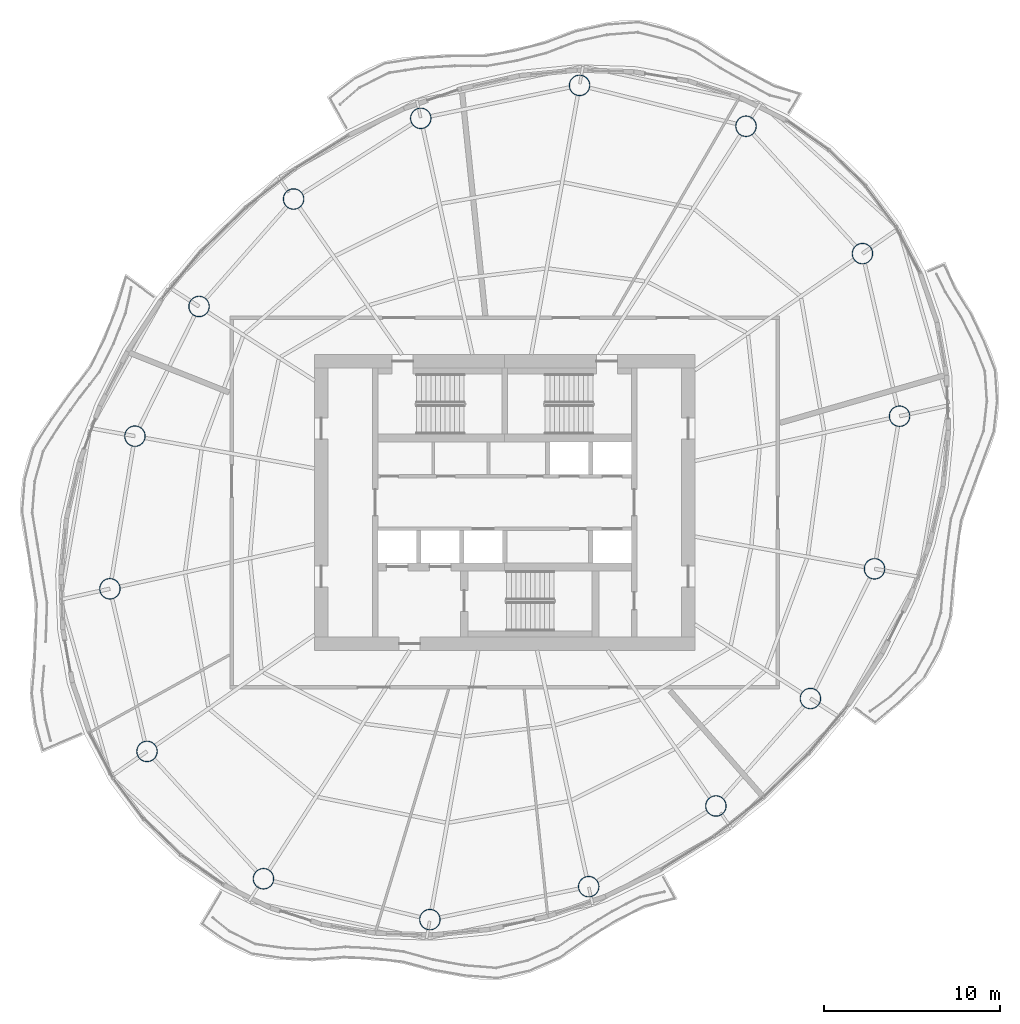
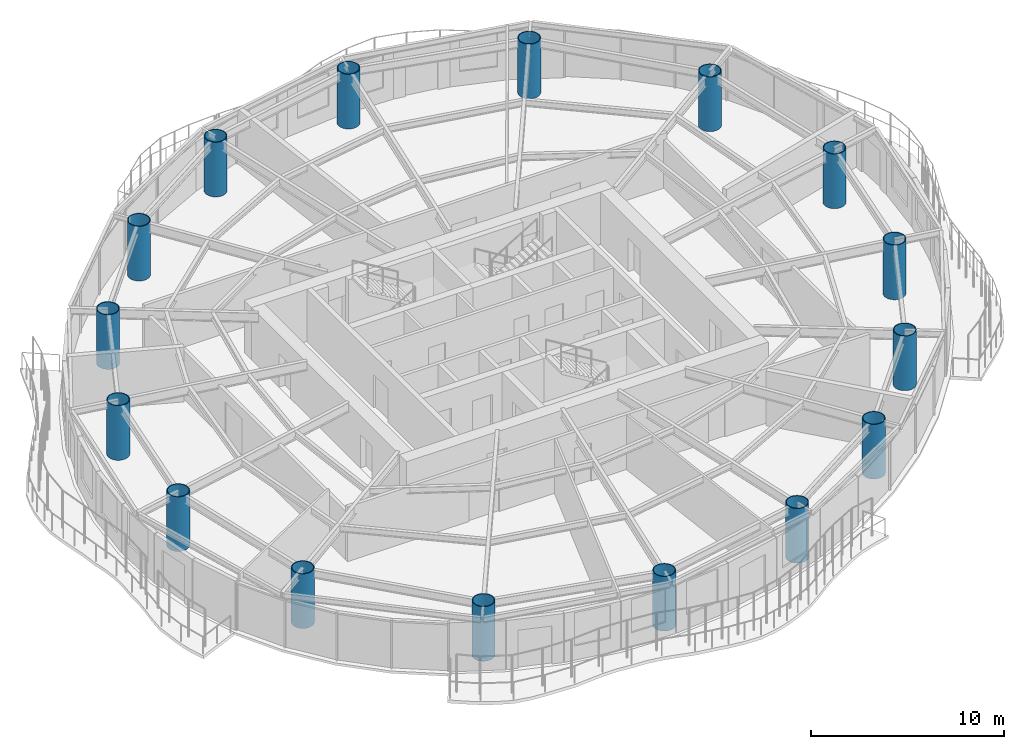
# One storey, part 1 of 14: 16 columns.
"""IFC4 building model written with IfcOpenShell, lengths in metres."""

from ifc_helpers import new_model, si_unit, direction, frame, origin, origin_2d, place, context, subcontext, project, spatial, hollow_circle, extrude, material, material_profile, profile_set, type_object, element, save


model = new_model("IFC4")

# Units and contexts
model_context = context("Model", 3, precision=1e-05, world=origin(), true_north=direction((0.0, 1.0)))
body_context = subcontext(model_context, "Body", "Model", "MODEL_VIEW")
ifc_project = project(units=[si_unit("LENGTHUNIT", "METRE"), si_unit("AREAUNIT", "SQUARE_METRE"), si_unit("VOLUMEUNIT", "CUBIC_METRE"), si_unit("PLANEANGLEUNIT", "RADIAN"), si_unit("MASSUNIT", "GRAM", prefix="KILO")], contexts=[model_context])

# Site, building, storey
site_placement = place(None, origin())
site = spatial("IfcSite", under=ifc_project, at=site_placement, CompositionType="ELEMENT")
building_placement = place(site_placement, origin())
building = spatial("IfcBuilding", under=site, at=building_placement, Name="Vermilion Reach Broadcast Tower", CompositionType="ELEMENT")
storey_placement = place(building_placement, frame((0.0, 0.0, 199.300048828125)))
storey = spatial("IfcBuildingStorey", under=building, at=storey_placement, Name="L48", CompositionType="ELEMENT", Elevation=199.300048828125)

# Columns
ifc_material = material(Name="Concrete C60 infill in steel S460NL tube", Category="concrete")
ifc_material_profile = material_profile(ifc_material, hollow_circle(Radius=0.60009765625, WallThickness=0.044921875, at=origin_2d()), Name="Concrete C60 infill in steel S460NL tube CFT 1200x45")
ifc_profile_set = profile_set([ifc_material_profile], Name="Concrete C60 infill in steel S460NL tube")
column_type = type_object("IfcColumnType", Name="MC4 CFT 1200x45", PredefinedType="COLUMN", material=ifc_profile_set)
for number, where, z_axis, x_axis, name in (
    (1, (7.70361328125, 21.3701171875, 0.0), (0.0, 0.0, 1.0), (1.0, 0.0, 0.0), "Mega-column MC4-01"),
    (2, (-1.75, 23.691162109375, 0.0), (0.0, 0.0, 1.0), (1.0, 0.0, 0.0), "Mega-column MC4-02"),
    (3, (-10.769287109375, 21.818603515625, 0.0), (0.0, 0.0, 1.0), (1.0, 0.0, 0.0), "Mega-column MC4-03"),
    (4, (-17.993408203125, 17.23681640625, 0.0), (0.0, 0.0, 1.0), (1.0, 0.0, 0.0), "Mega-column MC4-04"),
    (5, (-23.36279296875, 11.134033203125, 0.0), (0.0, 0.0, 1.0), (1.0, 0.0, 0.0), "Mega-column MC4-05"),
    (6, (-27.002685546875, 3.767578125, 0.0), (0.0, 0.0, 1.0), (1.0, 0.0, 0.0), "Mega-column MC4-06"),
    (7, (-28.423828125, -4.9013671875, 0.0), (0.0, 0.0, 1.0), (1.0, 0.0, 0.0), "Mega-column MC4-07"),
    (8, (-26.318115234375, -14.13720703125, 0.0), (0.0, 0.0, 1.0), (1.0, 0.0, 0.0), "Mega-column MC4-08"),
    (9, (-19.70361328125, -21.3701171875, 0.0), (0.0, 0.0, 1.0), (1.0, 0.0, 0.0), "Mega-column MC4-09"),
    (10, (-10.25, -23.691162109375, 0.0), (0.0, 0.0, 1.0), (1.0, 0.0, 0.0), "Mega-column MC4-10"),
    (11, (-1.230712890625, -21.818603515625, 0.0), (0.0, 0.0, 1.0), (1.0, 0.0, 0.0), "Mega-column MC4-11"),
    (12, (5.993408203125, -17.23681640625, 0.0), (0.0, 0.0, 1.0), (1.0, 0.0, 0.0), "Mega-column MC4-12"),
    (13, (11.36279296875, -11.134033203125, 0.0), (0.0, 0.0, 1.0), (1.0, 0.0, 0.0), "Mega-column MC4-13"),
    (14, (15.002685546875, -3.767578125, 0.0), (0.0, 0.0, 1.0), (1.0, 0.0, 0.0), "Mega-column MC4-14"),
    (15, (16.423828125, 4.9013671875, 0.0), (0.0, 0.0, 1.0), (1.0, 0.0, 0.0), "Mega-column MC4-15"),
    (16, (14.318115234375, 14.13720703125, 0.0), (0.0, 0.0, 1.0), (1.0, 0.0, 0.0), "Mega-column MC4-16"),
):
    element("IfcColumn", number, at=place(storey_placement, frame(where, z_axis=z_axis, x_axis=x_axis)), inside=storey, type_object=column_type, Name=name, PredefinedType="COLUMN", context=body_context, shape_type="SweptSolid", body=[
        extrude(hollow_circle(Radius=0.60009765625, WallThickness=0.044921875, at=origin_2d()), origin(), (0.0, 0.0, 1.0), 3.449951171875),
    ])

save(model, "model.ifc")
